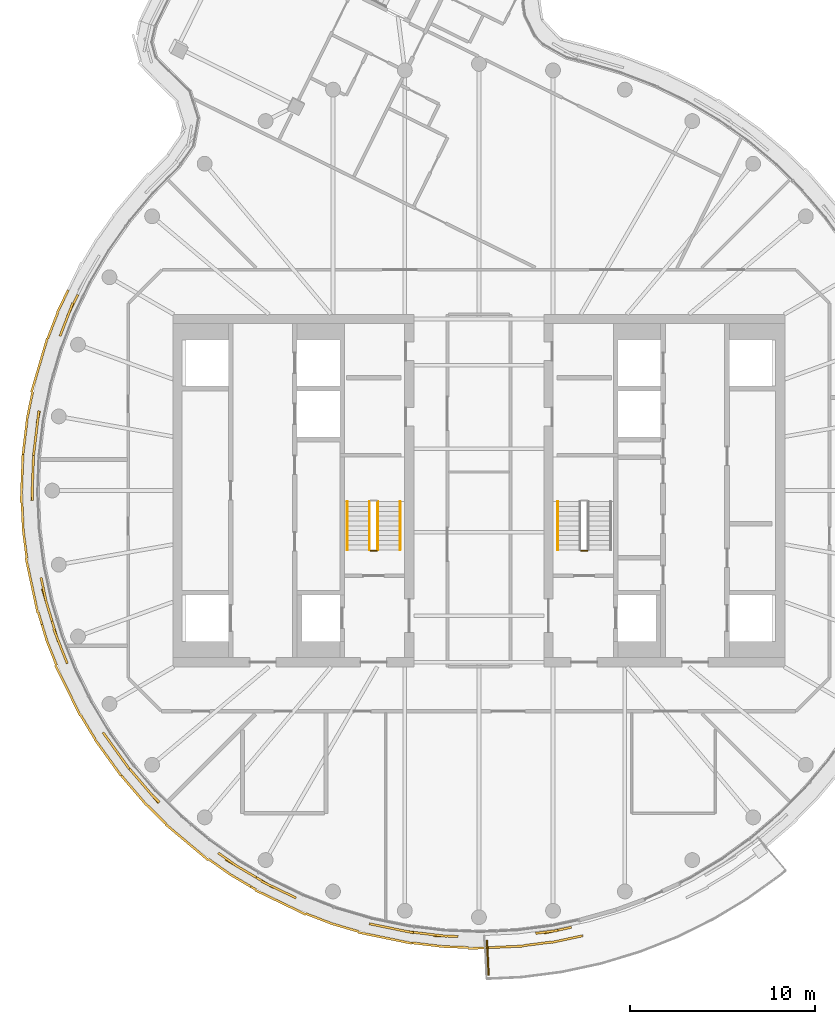
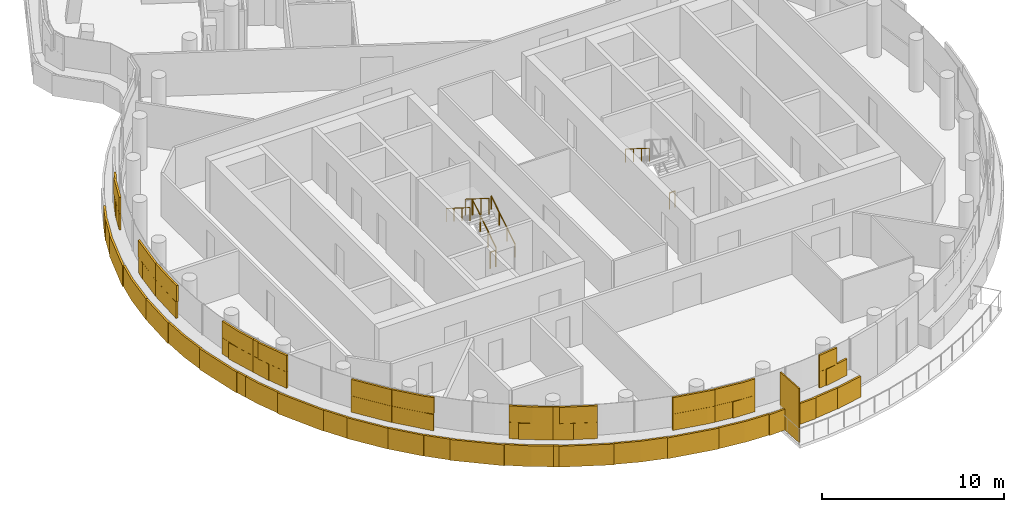
# One storey, part 17 of 21: 7 railings, 6 coverings, 1 shading device.
"""IFC4 building model written with IfcOpenShell, lengths in metres."""

from ifc_helpers import new_model, si_unit, direction, frame, origin, origin_2d, place, context, subcontext, project, spatial, rectangle, circle, extrude, material, layer, layer_set, type_object, element, save


model = new_model("IFC4")

# Units and contexts
model_context = context("Model", 3, precision=1e-05, world=origin(), true_north=direction((0.0, 1.0)))
body_context = subcontext(model_context, "Body", "Model", "MODEL_VIEW")
ifc_project = project(units=[si_unit("LENGTHUNIT", "METRE"), si_unit("AREAUNIT", "SQUARE_METRE"), si_unit("VOLUMEUNIT", "CUBIC_METRE"), si_unit("PLANEANGLEUNIT", "RADIAN"), si_unit("MASSUNIT", "GRAM", prefix="KILO")], contexts=[model_context])

# Site, building, storey
site_placement = place(None, origin())
site = spatial("IfcSite", under=ifc_project, at=site_placement, CompositionType="ELEMENT")
building_placement = place(site_placement, origin())
building = spatial("IfcBuilding", under=site, at=building_placement, Name="Tamarind Cross Interchange Tower", CompositionType="ELEMENT")
storey_placement = place(building_placement, frame((0.0, 0.0, 264.0)))
storey = spatial("IfcBuildingStorey", under=building, at=storey_placement, Name="L67", CompositionType="ELEMENT", Elevation=264.0)

# Shading device
ifc_material_1 = material(Name="Bronze-finish aluminium louvre", Category="aluminium")
ifc_layer_1 = layer(ifc_material_1, 0.080078125)
ifc_layer_set_1 = layer_set([ifc_layer_1], Name="Bronze-finish aluminium louvre")
shading_device_type = type_object("IfcShadingDeviceType", Name="Operable louvre bay", PredefinedType="JALOUSIE", material=ifc_layer_set_1)
shading_device_placement = place(storey_placement, origin())
element("IfcShadingDevice", 1, at=shading_device_placement, inside=storey, type_object=shading_device_type, Name="LVR-L67-BAL01", PredefinedType="JALOUSIE", context=body_context, shape_type="SweptSolid", body=[
    extrude(rectangle(XDim=1.89990234375, YDim=0.080078125, at=origin_2d()), frame((0.4765625, -25.179931640625, 0.0), z_axis=(0.0, 0.0, 1.0), x_axis=(0.045624486728, -0.998958660912, 0.0)), (0.0, 0.0, 1.0), 3.60009765625),
])

# Railings
ifc_material_2 = material(Name="Stair guard")
railing_type_1 = type_object("IfcRailingType", Name="Stair guard", PredefinedType="GUARDRAIL", material=ifc_material_2)
railing_1_placement = place(storey_placement, frame((-5.449951171875, -3.199951171875, 0.16357421875)))
element("IfcRailing", 2, at=railing_1_placement, inside=storey, type_object=railing_type_1, Name="L67 ST1 stair guard 1", PredefinedType="GUARDRAIL", context=body_context, shape_type="SweptSolid", body=[
    extrude(circle(Radius=0.02392578125, at=origin_2d()), frame((0.0, 0.0, 1.076171875), z_axis=(0.0, 0.846301844409, 0.532703658848), x_axis=(-1.0, 0.0, 0.0)), (0.0, 0.0, 1.0), 3.072021484375),
    extrude(circle(Radius=0.02099609375, at=origin_2d()), origin(), (0.0, 0.0, 1.0), 1.052001953125),
    extrude(circle(Radius=0.02099609375, at=origin_2d()), frame((0.0, 0.86669921875, 0.54541015625)), (0.0, 0.0, 1.0), 1.052001953125),
    extrude(circle(Radius=0.02099609375, at=origin_2d()), frame((0.0, 1.733154296875, 1.091064453125)), (0.0, 0.0, 1.0), 1.052001953125),
    extrude(circle(Radius=0.02099609375, at=origin_2d()), frame((0.0, 2.599853515625, 1.636474609375)), (0.0, 0.0, 1.0), 1.052001953125),
])
railing_2_placement = place(storey_placement, frame((-5.89990234375, -0.60009765625, 1.963623046875)))
element("IfcRailing", 3, at=railing_2_placement, inside=storey, type_object=railing_type_1, Name="L67 ST1 stair guard 3", PredefinedType="GUARDRAIL", context=body_context, shape_type="SweptSolid", body=[
    extrude(circle(Radius=0.02392578125, at=origin_2d()), frame((0.0, 0.0, 1.076171875), z_axis=(0.0, -0.846301844409, 0.532703658848), x_axis=(1.0, 0.0, 0.0)), (0.0, 0.0, 1.0), 3.072021484375),
    extrude(circle(Radius=0.02099609375, at=origin_2d()), origin(), (0.0, 0.0, 1.0), 1.052001953125),
    extrude(circle(Radius=0.02099609375, at=origin_2d()), frame((0.0, -0.86669921875, 0.54541015625)), (0.0, 0.0, 1.0), 1.052001953125),
    extrude(circle(Radius=0.02099609375, at=origin_2d()), frame((0.0, -1.733154296875, 1.091064453125)), (0.0, 0.0, 1.0), 1.052001953125),
    extrude(circle(Radius=0.02099609375, at=origin_2d()), frame((0.0, -2.599853515625, 1.636474609375)), (0.0, 0.0, 1.0), 1.052001953125),
])
for number, where, name in (
    (4, (-5.5, -3.25, 0.0), "L67 ST1 stair guard 4"),
    (5, (5.85009765625, -3.25, 0.0), "L67 ST2 stair guard 4"),
):
    element("IfcRailing", number, at=place(storey_placement, frame(where)), inside=storey, type_object=railing_type_1, Name=name, PredefinedType="GUARDRAIL", context=body_context, shape_type="SweptSolid", body=[
        extrude(circle(Radius=0.02392578125, at=origin_2d()), frame((0.0, 0.0, 1.076171875), z_axis=(-1.0, 0.0, 0.0), x_axis=(0.0, -1.0, 0.0)), (0.0, 0.0, 1.0), 0.35009765625),
        extrude(circle(Radius=0.02099609375, at=origin_2d()), origin(), (0.0, 0.0, 1.0), 1.052001953125),
        extrude(circle(Radius=0.02099609375, at=origin_2d()), frame((-0.35009765625, 0.0, 0.0)), (0.0, 0.0, 1.0), 1.052001953125),
    ])
ifc_material_3 = material(Name="Stair handrail")
railing_type_2 = type_object("IfcRailingType", Name="Stair handrail", PredefinedType="HANDRAIL", material=ifc_material_3)
railing_3_placement = place(storey_placement, frame((-4.25, -3.199951171875, 0.16357421875)))
element("IfcRailing", 6, at=railing_3_placement, inside=storey, type_object=railing_type_2, Name="L67 ST1 stair handrail 1", PredefinedType="HANDRAIL", context=body_context, shape_type="SweptSolid", body=[
    extrude(circle(Radius=0.02392578125, at=origin_2d()), frame((0.0, 0.0, 0.8759765625), z_axis=(0.0, 0.846301844409, 0.532703658848), x_axis=(-1.0, 0.0, 0.0)), (0.0, 0.0, 1.0), 3.072021484375),
    extrude(circle(Radius=0.02099609375, at=origin_2d()), origin(), (0.0, 0.0, 1.0), 0.851806640625),
    extrude(circle(Radius=0.02099609375, at=origin_2d()), frame((0.0, 0.86669921875, 0.54541015625)), (0.0, 0.0, 1.0), 0.851806640625),
    extrude(circle(Radius=0.02099609375, at=origin_2d()), frame((0.0, 1.733154296875, 1.091064453125)), (0.0, 0.0, 1.0), 0.851806640625),
    extrude(circle(Radius=0.02099609375, at=origin_2d()), frame((0.0, 2.599853515625, 1.636474609375)), (0.0, 0.0, 1.0), 0.851806640625),
])
for number, where, name in (
    (7, (-7.10009765625, -0.60009765625, 1.963623046875), "L67 ST1 stair handrail 2"),
    (8, (4.25, -0.60009765625, 1.963623046875), "L67 ST2 stair handrail 2"),
):
    element("IfcRailing", number, at=place(storey_placement, frame(where)), inside=storey, type_object=railing_type_2, Name=name, PredefinedType="HANDRAIL", context=body_context, shape_type="SweptSolid", body=[
        extrude(circle(Radius=0.02392578125, at=origin_2d()), frame((0.0, 0.0, 0.8759765625), z_axis=(0.0, -0.846301844409, 0.532703658848), x_axis=(1.0, 0.0, 0.0)), (0.0, 0.0, 1.0), 3.072021484375),
        extrude(circle(Radius=0.02099609375, at=origin_2d()), origin(), (0.0, 0.0, 1.0), 0.851806640625),
        extrude(circle(Radius=0.02099609375, at=origin_2d()), frame((0.0, -0.86669921875, 0.54541015625)), (0.0, 0.0, 1.0), 0.851806640625),
        extrude(circle(Radius=0.02099609375, at=origin_2d()), frame((0.0, -1.733154296875, 1.091064453125)), (0.0, 0.0, 1.0), 0.851806640625),
        extrude(circle(Radius=0.02099609375, at=origin_2d()), frame((0.0, -2.599853515625, 1.636474609375)), (0.0, 0.0, 1.0), 0.851806640625),
    ])

# Coverings
ifc_material_4 = material(Name="Terracotta", Category="masonry")
ifc_layer_2 = layer(ifc_material_4, 0.1201171875)
ifc_layer_set_2 = layer_set([ifc_layer_2], Name="Terracotta")
covering_type = type_object("IfcCoveringType", Name="Terracotta baguette screen unit", PredefinedType="MOLDING", material=ifc_layer_set_2)
covering_1_placement = place(storey_placement, origin())
element("IfcCovering", 9, at=covering_1_placement, inside=storey, type_object=covering_type, Name="SCR-L67-01-02", PredefinedType="MOLDING", context=body_context, shape_type="SweptSolid", body=[
    extrude(rectangle(XDim=1.284912109375, YDim=0.1201171875, at=origin_2d()), frame((-21.90380859375, 9.9833984375, 1.40380859375), z_axis=(0.0, 0.0, 1.0), x_axis=(-0.435326231914, -0.900272776334, 0.0)), (0.0, 0.0, 1.0), 1.092041015625),
    extrude(rectangle(XDim=1.15673828125, YDim=0.1201171875, at=origin_2d()), frame((-22.373046875, 8.8681640625, 1.40380859375), z_axis=(0.0, 0.0, 1.0), x_axis=(-0.359495435512, -0.933146843667, 0.0)), (0.0, 0.0, 1.0), 1.092041015625),
    extrude(rectangle(XDim=0.663330078125, YDim=0.1201171875, at=origin_2d()), frame((-23.75244140625, 3.968994140625, 1.40380859375), z_axis=(0.0, 0.0, 1.0), x_axis=(-0.201001463943, -0.9795909409, 0.0)), (0.0, 0.0, 1.0), 1.092041015625),
    extrude(rectangle(XDim=1.52001953125, YDim=0.1201171875, at=origin_2d()), frame((-23.889892578125, 2.901611328125, 1.40380859375), z_axis=(0.0, 0.0, 1.0), x_axis=(-0.119420963295, -0.992843710523, 0.0)), (0.0, 0.0, 1.0), 1.092041015625),
    extrude(rectangle(XDim=0.2783203125, YDim=0.1201171875, at=origin_2d()), frame((-23.99560546875, 2.023681640625, 1.40380859375), z_axis=(0.0, 0.0, 1.0), x_axis=(-0.119420963295, -0.992843710523, 0.0)), (0.0, 0.0, 1.0), 1.092041015625),
    extrude(rectangle(XDim=0.534912109375, YDim=0.1201171875, at=origin_2d()), frame((-21.740478515625, 10.321044921875, 2.50390625), z_axis=(0.0, 0.0, 1.0), x_axis=(-0.435326231914, -0.900272776334, 0.0)), (0.0, 0.0, 1.0), 1.092041015625),
    extrude(rectangle(XDim=1.52001953125, YDim=0.1201171875, at=origin_2d()), frame((-22.1669921875, 9.4033203125, 2.50390625), z_axis=(0.0, 0.0, 1.0), x_axis=(-0.359495435512, -0.933146843667, 0.0)), (0.0, 0.0, 1.0), 1.092041015625),
    extrude(rectangle(XDim=0.40673828125, YDim=0.1201171875, at=origin_2d()), frame((-22.5078125, 8.518310546875, 2.50390625), z_axis=(0.0, 0.0, 1.0), x_axis=(-0.359495435512, -0.933146843667, 0.0)), (0.0, 0.0, 1.0), 1.092041015625),
    extrude(rectangle(XDim=1.413330078125, YDim=0.1201171875, at=origin_2d()), frame((-23.80615234375, 3.59814453125, 2.50390625), z_axis=(0.0, 0.0, 1.0), x_axis=(-0.119420963295, -0.992843710523, 0.0)), (0.0, 0.0, 1.0), 1.092041015625),
    extrude(rectangle(XDim=1.0283203125, YDim=0.1201171875, at=origin_2d()), frame((-23.95068359375, 2.39599609375, 2.50390625), z_axis=(0.0, 0.0, 1.0), x_axis=(-0.119420963295, -0.992843710523, 0.0)), (0.0, 0.0, 1.0), 1.092041015625),
    extrude(rectangle(XDim=1.354736328125, YDim=0.1201171875, at=origin_2d()), frame((-22.43701171875, 10.19921875, 0.00390625), z_axis=(0.0, 0.0, 1.0), x_axis=(-0.435326231914, -0.900272776334, 0.0)), (0.0, 0.0, 1.0), 1.39208984375),
    extrude(rectangle(XDim=1.52001953125, YDim=0.1201171875, at=origin_2d()), frame((-22.9794921875, 8.890869140625, 0.00390625), z_axis=(0.0, 0.0, 1.0), x_axis=(-0.359495435512, -0.933146843667, 0.0)), (0.0, 0.0, 1.0), 1.39208984375),
    extrude(rectangle(XDim=1.52001953125, YDim=0.1201171875, at=origin_2d()), frame((-23.48388671875, 7.479248046875, 0.00390625), z_axis=(0.0, 0.0, 1.0), x_axis=(-0.281208920763, -0.95964657186, 0.0)), (0.0, 0.0, 1.0), 1.39208984375),
    extrude(rectangle(XDim=1.52001953125, YDim=0.1201171875, at=origin_2d()), frame((-23.90576171875, 6.039794921875, 0.00390625), z_axis=(0.0, 0.0, 1.0), x_axis=(-0.281208920763, -0.95964657186, 0.0)), (0.0, 0.0, 1.0), 1.39208984375),
    extrude(rectangle(XDim=1.52001953125, YDim=0.1201171875, at=origin_2d()), frame((-24.214599609375, 4.572265625, 0.00390625), z_axis=(0.0, 0.0, 1.0), x_axis=(-0.201001463943, -0.9795909409, 0.0)), (0.0, 0.0, 1.0), 1.39208984375),
    extrude(rectangle(XDim=1.52001953125, YDim=0.1201171875, at=origin_2d()), frame((-24.4453125, 3.09130859375, 0.00390625), z_axis=(0.0, 0.0, 1.0), x_axis=(-0.119420963295, -0.992843710523, 0.0)), (0.0, 0.0, 1.0), 1.39208984375),
    extrude(rectangle(XDim=0.424072265625, YDim=0.1201171875, at=origin_2d()), frame((-24.558837890625, 2.14599609375, 0.00390625), z_axis=(0.0, 0.0, 1.0), x_axis=(-0.119420963295, -0.992843710523, 0.0)), (0.0, 0.0, 1.0), 1.39208984375),
])
covering_2_placement = place(storey_placement, origin())
element("IfcCovering", 10, at=covering_2_placement, inside=storey, type_object=covering_type, Name="SCR-L67-01-03", PredefinedType="MOLDING", context=body_context, shape_type="SweptSolid", body=[
    extrude(rectangle(XDim=1.24169921875, YDim=0.1201171875, at=origin_2d()), frame((-24.03466796875, 1.275146484375, 1.40380859375), z_axis=(0.0, 0.0, 1.0), x_axis=(-0.037024696392, -0.999314350871, 0.0)), (0.0, 0.0, 1.0), 1.092041015625),
    extrude(rectangle(XDim=1.19970703125, YDim=0.1201171875, at=origin_2d()), frame((-24.07958984375, 0.065185546875, 1.40380859375), z_axis=(0.0, 0.0, 1.0), x_axis=(-0.037024696392, -0.999314350871, 0.0)), (0.0, 0.0, 1.0), 1.092041015625),
    extrude(rectangle(XDim=0.620361328125, YDim=0.1201171875, at=origin_2d()), frame((-23.541259765625, -4.9951171875, 1.40380859375), z_axis=(0.0, 0.0, 1.0), x_axis=(0.209425419705, -0.977824623121, 0.0)), (0.0, 0.0, 1.0), 1.092041015625),
    extrude(rectangle(XDim=1.52001953125, YDim=0.1201171875, at=origin_2d()), frame((-23.3193359375, -6.026611328125, 1.40380859375), z_axis=(0.0, 0.0, 1.0), x_axis=(0.289458243079, -0.957190642199, 0.0)), (0.0, 0.0, 1.0), 1.092041015625),
    extrude(rectangle(XDim=0.3212890625, YDim=0.1201171875, at=origin_2d()), frame((-23.05712890625, -6.893310546875, 1.40380859375), z_axis=(0.0, 0.0, 1.0), x_axis=(0.289458243079, -0.957190642199, 0.0)), (0.0, 0.0, 1.0), 1.092041015625),
    extrude(rectangle(XDim=0.49169921875, YDim=0.1201171875, at=origin_2d()), frame((-24.020751953125, 1.64990234375, 2.50390625), z_axis=(0.0, 0.0, 1.0), x_axis=(-0.037024696392, -0.999314350871, 0.0)), (0.0, 0.0, 1.0), 1.092041015625),
    extrude(rectangle(XDim=1.52001953125, YDim=0.1201171875, at=origin_2d()), frame((-24.0576171875, 0.65966796875, 2.50390625), z_axis=(0.0, 0.0, 1.0), x_axis=(-0.037024696392, -0.999314350871, 0.0)), (0.0, 0.0, 1.0), 1.092041015625),
    extrude(rectangle(XDim=0.44970703125, YDim=0.1201171875, at=origin_2d()), frame((-24.076416015625, -0.309326171875, 2.50390625), z_axis=(0.0, 0.0, 1.0), x_axis=(0.045624486728, -0.998958660912, 0.0)), (0.0, 0.0, 1.0), 1.092041015625),
    extrude(rectangle(XDim=1.370361328125, YDim=0.1201171875, at=origin_2d()), frame((-23.462890625, -5.36181640625, 2.50390625), z_axis=(0.0, 0.0, 1.0), x_axis=(0.209425419705, -0.977824623121, 0.0)), (0.0, 0.0, 1.0), 1.092041015625),
    extrude(rectangle(XDim=1.0712890625, YDim=0.1201171875, at=origin_2d()), frame((-23.165771484375, -6.534423828125, 2.50390625), z_axis=(0.0, 0.0, 1.0), x_axis=(0.289458243079, -0.957190642199, 0.0)), (0.0, 0.0, 1.0), 1.092041015625),
    extrude(rectangle(XDim=1.095947265625, YDim=0.1201171875, at=origin_2d()), frame((-24.60498046875, 1.387939453125, 0.00390625), z_axis=(0.0, 0.0, 1.0), x_axis=(-0.037024696392, -0.999314350871, 0.0)), (0.0, 0.0, 1.0), 1.39208984375),
    extrude(rectangle(XDim=1.52001953125, YDim=0.1201171875, at=origin_2d()), frame((-24.652587890625, 0.100830078125, 0.00390625), z_axis=(0.0, 0.0, 1.0), x_axis=(-0.037024696392, -0.999314350871, 0.0)), (0.0, 0.0, 1.0), 1.39208984375),
    extrude(rectangle(XDim=1.52001953125, YDim=0.1201171875, at=origin_2d()), frame((-24.601318359375, -1.3974609375, 0.00390625), z_axis=(0.0, 0.0, 1.0), x_axis=(0.045624486728, -0.998958660912, 0.0)), (0.0, 0.0, 1.0), 1.39208984375),
    extrude(rectangle(XDim=1.52001953125, YDim=0.1201171875, at=origin_2d()), frame((-24.470703125, -2.890625, 0.00390625), z_axis=(0.0, 0.0, 1.0), x_axis=(0.127962008342, -0.991779070368, 0.0)), (0.0, 0.0, 1.0), 1.39208984375),
    extrude(rectangle(XDim=1.52001953125, YDim=0.1201171875, at=origin_2d()), frame((-24.26123046875, -4.375244140625, 0.00390625), z_axis=(0.0, 0.0, 1.0), x_axis=(0.209425419705, -0.977824623121, 0.0)), (0.0, 0.0, 1.0), 1.39208984375),
    extrude(rectangle(XDim=1.52001953125, YDim=0.1201171875, at=origin_2d()), frame((-23.947021484375, -5.842041015625, 0.00390625), z_axis=(0.0, 0.0, 1.0), x_axis=(0.209425419705, -0.977824623121, 0.0)), (0.0, 0.0, 1.0), 1.39208984375),
    extrude(rectangle(XDim=0.6826171875, YDim=0.1201171875, at=origin_2d()), frame((-23.659912109375, -6.883544921875, 0.00390625), z_axis=(0.0, 0.0, 1.0), x_axis=(0.289458243079, -0.957190642199, 0.0)), (0.0, 0.0, 1.0), 1.39208984375),
])
covering_3_placement = place(storey_placement, origin())
element("IfcCovering", 11, at=covering_3_placement, inside=storey, type_object=covering_type, Name="SCR-L67-01-04", PredefinedType="MOLDING", context=body_context, shape_type="SweptSolid", body=[
    extrude(rectangle(XDim=1.19873046875, YDim=0.1201171875, at=origin_2d()), frame((-22.840087890625, -7.611328125, 1.40380859375), z_axis=(0.0, 0.0, 1.0), x_axis=(0.289458243079, -0.957190642199, 0.0)), (0.0, 0.0, 1.0), 1.092041015625),
    extrude(rectangle(XDim=1.242431640625, YDim=0.1201171875, at=origin_2d()), frame((-22.420166015625, -8.74609375, 1.40380859375), z_axis=(0.0, 0.0, 1.0), x_axis=(0.367513773146, -0.930018078613, 0.0)), (0.0, 0.0, 1.0), 1.092041015625),
    extrude(rectangle(XDim=0.577392578125, YDim=0.1201171875, at=origin_2d()), frame((-20.096923828125, -13.274658203125, 1.40380859375), z_axis=(0.0, 0.0, 1.0), x_axis=(0.584573890505, -0.811340475102, 0.0)), (0.0, 0.0, 1.0), 1.092041015625),
    extrude(rectangle(XDim=1.52001953125, YDim=0.1201171875, at=origin_2d()), frame((-19.49267578125, -14.11328125, 1.40380859375), z_axis=(0.0, 0.0, 1.0), x_axis=(0.584573890505, -0.811340475102, 0.0)), (0.0, 0.0, 1.0), 1.092041015625),
    extrude(rectangle(XDim=0.36376953125, YDim=0.1201171875, at=origin_2d()), frame((-18.95068359375, -14.865478515625, 1.40380859375), z_axis=(0.0, 0.0, 1.0), x_axis=(0.584573890505, -0.811340475102, 0.0)), (0.0, 0.0, 1.0), 1.092041015625),
    extrude(rectangle(XDim=0.44873046875, YDim=0.1201171875, at=origin_2d()), frame((-22.94873046875, -7.25244140625, 2.50390625), z_axis=(0.0, 0.0, 1.0), x_axis=(0.289458243079, -0.957190642199, 0.0)), (0.0, 0.0, 1.0), 1.092041015625),
    extrude(rectangle(XDim=1.52001953125, YDim=0.1201171875, at=origin_2d()), frame((-22.646728515625, -8.1728515625, 2.50390625), z_axis=(0.0, 0.0, 1.0), x_axis=(0.367513773146, -0.930018078613, 0.0)), (0.0, 0.0, 1.0), 1.092041015625),
    extrude(rectangle(XDim=0.492431640625, YDim=0.1201171875, at=origin_2d()), frame((-22.282470703125, -9.0947265625, 2.50390625), z_axis=(0.0, 0.0, 1.0), x_axis=(0.367513773146, -0.930018078613, 0.0)), (0.0, 0.0, 1.0), 1.092041015625),
    extrude(rectangle(XDim=1.327392578125, YDim=0.1201171875, at=origin_2d()), frame((-19.877685546875, -13.578857421875, 2.50390625), z_axis=(0.0, 0.0, 1.0), x_axis=(0.584573890505, -0.811340475102, 0.0)), (0.0, 0.0, 1.0), 1.092041015625),
    extrude(rectangle(XDim=1.11376953125, YDim=0.1201171875, at=origin_2d()), frame((-19.169921875, -14.56103515625, 2.50390625), z_axis=(0.0, 0.0, 1.0), x_axis=(0.584573890505, -0.811340475102, 0.0)), (0.0, 0.0, 1.0), 1.092041015625),
    extrude(rectangle(XDim=0.83740234375, YDim=0.1201171875, at=origin_2d()), frame((-23.439697265625, -7.611083984375, 0.00390625), z_axis=(0.0, 0.0, 1.0), x_axis=(0.289458243079, -0.957190642199, 0.0)), (0.0, 0.0, 1.0), 1.39208984375),
    extrude(rectangle(XDim=1.52001953125, YDim=0.1201171875, at=origin_2d()), frame((-23.054443359375, -8.702880859375, 0.00390625), z_axis=(0.0, 0.0, 1.0), x_axis=(0.367513773146, -0.930018078613, 0.0)), (0.0, 0.0, 1.0), 1.39208984375),
    extrude(rectangle(XDim=1.52001953125, YDim=0.1201171875, at=origin_2d()), frame((-22.49560546875, -10.094482421875, 0.00390625), z_axis=(0.0, 0.0, 1.0), x_axis=(0.443058811505, -0.896492548518, 0.0)), (0.0, 0.0, 1.0), 1.39208984375),
    extrude(rectangle(XDim=1.52001953125, YDim=0.1201171875, at=origin_2d()), frame((-21.830810546875, -11.439208984375, 0.00390625), z_axis=(0.0, 0.0, 1.0), x_axis=(0.443058811505, -0.896492548518, 0.0)), (0.0, 0.0, 1.0), 1.39208984375),
    extrude(rectangle(XDim=1.52001953125, YDim=0.1201171875, at=origin_2d()), frame((-21.089111328125, -12.74169921875, 0.00390625), z_axis=(0.0, 0.0, 1.0), x_axis=(0.515577308909, -0.856843065292, 0.0)), (0.0, 0.0, 1.0), 1.39208984375),
    extrude(rectangle(XDim=1.52001953125, YDim=0.1201171875, at=origin_2d()), frame((-20.279541015625, -14.003173828125, 0.00390625), z_axis=(0.0, 0.0, 1.0), x_axis=(0.584573890505, -0.811340475102, 0.0)), (0.0, 0.0, 1.0), 1.39208984375),
    extrude(rectangle(XDim=0.94091796875, YDim=0.1201171875, at=origin_2d()), frame((-19.572021484375, -14.985107421875, 0.00390625), z_axis=(0.0, 0.0, 1.0), x_axis=(0.584573890505, -0.811340475102, 0.0)), (0.0, 0.0, 1.0), 1.39208984375),
])
covering_4_placement = place(storey_placement, origin())
element("IfcCovering", 12, at=covering_4_placement, inside=storey, type_object=covering_type, Name="SCR-L67-01-05", PredefinedType="MOLDING", context=body_context, shape_type="SweptSolid", body=[
    extrude(rectangle(XDim=1.156005859375, YDim=0.1201171875, at=origin_2d()), frame((-18.46435546875, -15.436279296875, 1.40380859375), z_axis=(0.0, 0.0, 1.0), x_axis=(0.64957723968, -0.760295606781, 0.0)), (0.0, 0.0, 1.0), 1.092041015625),
    extrude(rectangle(XDim=1.28564453125, YDim=0.1201171875, at=origin_2d()), frame((-17.677978515625, -16.35693359375, 1.40380859375), z_axis=(0.0, 0.0, 1.0), x_axis=(0.64957723968, -0.760295606781, 0.0)), (0.0, 0.0, 1.0), 1.092041015625),
    extrude(rectangle(XDim=0.534423828125, YDim=0.1201171875, at=origin_2d()), frame((-13.83349609375, -19.6923828125, 1.40380859375), z_axis=(0.0, 0.0, 1.0), x_axis=(0.816341886298, -0.577568978284, 0.0)), (0.0, 0.0, 1.0), 1.092041015625),
    extrude(rectangle(XDim=1.52001953125, YDim=0.1201171875, at=origin_2d()), frame((-13.0029296875, -20.27001953125, 1.40380859375), z_axis=(0.0, 0.0, 1.0), x_axis=(0.861248933065, -0.508183308752, 0.0)), (0.0, 0.0, 1.0), 1.092041015625),
    extrude(rectangle(XDim=0.4072265625, YDim=0.1201171875, at=origin_2d()), frame((-12.185791015625, -20.752197265625, 1.40380859375), z_axis=(0.0, 0.0, 1.0), x_axis=(0.861248933065, -0.508183308752, 0.0)), (0.0, 0.0, 1.0), 1.092041015625),
    extrude(rectangle(XDim=0.406005859375, YDim=0.1201171875, at=origin_2d()), frame((-18.7080078125, -15.151123046875, 2.50390625), z_axis=(0.0, 0.0, 1.0), x_axis=(0.64957723968, -0.760295606781, 0.0)), (0.0, 0.0, 1.0), 1.092041015625),
    extrude(rectangle(XDim=1.52001953125, YDim=0.1201171875, at=origin_2d()), frame((-18.09228515625, -15.871826171875, 2.50390625), z_axis=(0.0, 0.0, 1.0), x_axis=(0.64957723968, -0.760295606781, 0.0)), (0.0, 0.0, 1.0), 1.092041015625),
    extrude(rectangle(XDim=0.53564453125, YDim=0.1201171875, at=origin_2d()), frame((-17.4140625, -16.623291015625, 2.50390625), z_axis=(0.0, 0.0, 1.0), x_axis=(0.710143317658, -0.704057148523, 0.0)), (0.0, 0.0, 1.0), 1.092041015625),
    extrude(rectangle(XDim=1.284423828125, YDim=0.1201171875, at=origin_2d()), frame((-13.52734375, -19.908935546875, 2.50390625), z_axis=(0.0, 0.0, 1.0), x_axis=(0.816341886298, -0.577568978284, 0.0)), (0.0, 0.0, 1.0), 1.092041015625),
    extrude(rectangle(XDim=1.1572265625, YDim=0.1201171875, at=origin_2d()), frame((-12.5087890625, -20.5615234375, 2.50390625), z_axis=(0.0, 0.0, 1.0), x_axis=(0.861248933065, -0.508183308752, 0.0)), (0.0, 0.0, 1.0), 1.092041015625),
    extrude(rectangle(XDim=0.5791015625, YDim=0.1201171875, at=origin_2d()), frame((-19.097900390625, -15.578369140625, 0.00390625), z_axis=(0.0, 0.0, 1.0), x_axis=(0.64957723968, -0.760295606781, 0.0)), (0.0, 0.0, 1.0), 1.39208984375),
    extrude(rectangle(XDim=1.52001953125, YDim=0.1201171875, at=origin_2d()), frame((-18.42919921875, -16.361083984375, 0.00390625), z_axis=(0.0, 0.0, 1.0), x_axis=(0.64957723968, -0.760295606781, 0.0)), (0.0, 0.0, 1.0), 1.39208984375),
    extrude(rectangle(XDim=1.52001953125, YDim=0.1201171875, at=origin_2d()), frame((-17.397216796875, -17.4482421875, 0.00390625), z_axis=(0.0, 0.0, 1.0), x_axis=(0.710143317658, -0.704057148523, 0.0)), (0.0, 0.0, 1.0), 1.39208984375),
    extrude(rectangle(XDim=1.52001953125, YDim=0.1201171875, at=origin_2d()), frame((-16.30908203125, -18.479248046875, 0.00390625), z_axis=(0.0, 0.0, 1.0), x_axis=(0.765858396687, -0.643009266048, 0.0)), (0.0, 0.0, 1.0), 1.39208984375),
    extrude(rectangle(XDim=1.52001953125, YDim=0.1201171875, at=origin_2d()), frame((-15.160400390625, -19.44384765625, 0.00390625), z_axis=(0.0, 0.0, 1.0), x_axis=(0.765858396687, -0.643009266048, 0.0)), (0.0, 0.0, 1.0), 1.39208984375),
    extrude(rectangle(XDim=1.52001953125, YDim=0.1201171875, at=origin_2d()), frame((-13.9423828125, -20.318359375, 0.00390625), z_axis=(0.0, 0.0, 1.0), x_axis=(0.816341886298, -0.577568978284, 0.0)), (0.0, 0.0, 1.0), 1.39208984375),
    extrude(rectangle(XDim=1.199951171875, YDim=0.1201171875, at=origin_2d()), frame((-12.818115234375, -21.045654296875, 0.00390625), z_axis=(0.0, 0.0, 1.0), x_axis=(0.861248933065, -0.508183308752, 0.0)), (0.0, 0.0, 1.0), 1.39208984375),
])
covering_5_placement = place(storey_placement, origin())
element("IfcCovering", 13, at=covering_5_placement, inside=storey, type_object=covering_type, Name="SCR-L67-01-06", PredefinedType="MOLDING", context=body_context, shape_type="SweptSolid", body=[
    extrude(rectangle(XDim=1.11279296875, YDim=0.1201171875, at=origin_2d()), frame((-11.5400390625, -21.13330078125, 1.40380859375), z_axis=(0.0, 0.0, 1.0), x_axis=(0.861248933065, -0.508183308752, 0.0)), (0.0, 0.0, 1.0), 1.092041015625),
    extrude(rectangle(XDim=1.32861328125, YDim=0.1201171875, at=origin_2d()), frame((-10.45751953125, -21.674560546875, 1.40380859375), z_axis=(0.0, 0.0, 1.0), x_axis=(0.900272776334, -0.435326231914, 0.0)), (0.0, 0.0, 1.0), 1.092041015625),
    extrude(rectangle(XDim=0.491455078125, YDim=0.1201171875, at=origin_2d()), frame((-5.671142578125, -23.403076171875, 1.40380859375), z_axis=(0.0, 0.0, 1.0), x_axis=(0.9795909409, -0.201001463943, 0.0)), (0.0, 0.0, 1.0), 1.092041015625),
    extrude(rectangle(XDim=1.52001953125, YDim=0.1201171875, at=origin_2d()), frame((-4.70068359375, -23.602294921875, 1.40380859375), z_axis=(0.0, 0.0, 1.0), x_axis=(0.9795909409, -0.201001463943, 0.0)), (0.0, 0.0, 1.0), 1.092041015625),
    extrude(rectangle(XDim=0.44970703125, YDim=0.1201171875, at=origin_2d()), frame((-3.7490234375, -23.7880859375, 1.40380859375), z_axis=(0.0, 0.0, 1.0), x_axis=(0.992843710523, -0.119420963295, 0.0)), (0.0, 0.0, 1.0), 1.092041015625),
    extrude(rectangle(XDim=0.36279296875, YDim=0.1201171875, at=origin_2d()), frame((-11.86279296875, -20.94287109375, 2.50390625), z_axis=(0.0, 0.0, 1.0), x_axis=(0.861248933065, -0.508183308752, 0.0)), (0.0, 0.0, 1.0), 1.092041015625),
    extrude(rectangle(XDim=1.52001953125, YDim=0.1201171875, at=origin_2d()), frame((-11.051025390625, -21.387451171875, 2.50390625), z_axis=(0.0, 0.0, 1.0), x_axis=(0.900272776334, -0.435326231914, 0.0)), (0.0, 0.0, 1.0), 1.092041015625),
    extrude(rectangle(XDim=0.57861328125, YDim=0.1201171875, at=origin_2d()), frame((-10.119873046875, -21.837890625, 2.50390625), z_axis=(0.0, 0.0, 1.0), x_axis=(0.900272776334, -0.435326231914, 0.0)), (0.0, 0.0, 1.0), 1.092041015625),
    extrude(rectangle(XDim=1.241455078125, YDim=0.1201171875, at=origin_2d()), frame((-5.3037109375, -23.478515625, 2.50390625), z_axis=(0.0, 0.0, 1.0), x_axis=(0.9795909409, -0.201001463943, 0.0)), (0.0, 0.0, 1.0), 1.092041015625),
    extrude(rectangle(XDim=1.19970703125, YDim=0.1201171875, at=origin_2d()), frame((-4.117919921875, -23.721923828125, 2.50390625), z_axis=(0.0, 0.0, 1.0), x_axis=(0.9795909409, -0.201001463943, 0.0)), (0.0, 0.0, 1.0), 1.092041015625),
    extrude(rectangle(XDim=0.320068359375, YDim=0.1201171875, at=origin_2d()), frame((-12.16357421875, -21.431884765625, 0.00390625), z_axis=(0.0, 0.0, 1.0), x_axis=(0.861248933065, -0.508183308752, 0.0)), (0.0, 0.0, 1.0), 1.39208984375),
    extrude(rectangle(XDim=1.52001953125, YDim=0.1201171875, at=origin_2d()), frame((-11.376953125, -21.86767578125, 0.00390625), z_axis=(0.0, 0.0, 1.0), x_axis=(0.900272776334, -0.435326231914, 0.0)), (0.0, 0.0, 1.0), 1.39208984375),
    extrude(rectangle(XDim=1.52001953125, YDim=0.1201171875, at=origin_2d()), frame((-10.026611328125, -22.5205078125, 0.00390625), z_axis=(0.0, 0.0, 1.0), x_axis=(0.900272776334, -0.435326231914, 0.0)), (0.0, 0.0, 1.0), 1.39208984375),
    extrude(rectangle(XDim=1.52001953125, YDim=0.1201171875, at=origin_2d()), frame((-8.634765625, -23.078125, 0.00390625), z_axis=(0.0, 0.0, 1.0), x_axis=(0.933146843667, -0.359495435512, 0.0)), (0.0, 0.0, 1.0), 1.39208984375),
    extrude(rectangle(XDim=1.52001953125, YDim=0.1201171875, at=origin_2d()), frame((-7.2158203125, -23.56103515625, 0.00390625), z_axis=(0.0, 0.0, 1.0), x_axis=(0.95964657186, -0.281208920763, 0.0)), (0.0, 0.0, 1.0), 1.39208984375),
    extrude(rectangle(XDim=1.52001953125, YDim=0.1201171875, at=origin_2d()), frame((-5.77294921875, -23.96826171875, 0.00390625), z_axis=(0.0, 0.0, 1.0), x_axis=(0.9795909409, -0.201001463943, 0.0)), (0.0, 0.0, 1.0), 1.39208984375),
    extrude(rectangle(XDim=1.458251953125, YDim=0.1201171875, at=origin_2d()), frame((-4.333740234375, -24.263671875, 0.00390625), z_axis=(0.0, 0.0, 1.0), x_axis=(0.9795909409, -0.201001463943, 0.0)), (0.0, 0.0, 1.0), 1.39208984375),
])
covering_6_placement = place(storey_placement, origin())
element("IfcCovering", 14, at=covering_6_placement, inside=storey, type_object=covering_type, Name="SCR-L67-01-07", PredefinedType="MOLDING", context=body_context, shape_type="SweptSolid", body=[
    extrude(rectangle(XDim=1.070068359375, YDim=0.1201171875, at=origin_2d()), frame((-3.00439453125, -23.87744140625, 1.40380859375), z_axis=(0.0, 0.0, 1.0), x_axis=(0.992843710523, -0.119420963295, 0.0)), (0.0, 0.0, 1.0), 1.092041015625),
    extrude(rectangle(XDim=1.37158203125, YDim=0.1201171875, at=origin_2d()), frame((-1.801513671875, -24.01513671875, 1.40380859375), z_axis=(0.0, 0.0, 1.0), x_axis=(0.999314350871, -0.037024696392, 0.0)), (0.0, 0.0, 1.0), 1.092041015625),
    extrude(rectangle(XDim=0.448486328125, YDim=0.1201171875, at=origin_2d()), frame((3.28515625, -23.841064453125, 1.40380859375), z_axis=(0.0, 0.0, 1.0), x_axis=(0.991779070368, 0.127962008342, 0.0)), (0.0, 0.0, 1.0), 1.092041015625),
    extrude(rectangle(XDim=1.52001953125, YDim=0.1201171875, at=origin_2d()), frame((4.243896484375, -23.702392578125, 1.40380859375), z_axis=(0.0, 0.0, 1.0), x_axis=(0.977824623121, 0.209425419705, 0.0)), (0.0, 0.0, 1.0), 1.092041015625),
    extrude(rectangle(XDim=0.320068359375, YDim=0.1201171875, at=origin_2d()), frame((-3.376708984375, -23.832763671875, 2.50390625), z_axis=(0.0, 0.0, 1.0), x_axis=(0.992843710523, -0.119420963295, 0.0)), (0.0, 0.0, 1.0), 1.092041015625),
    extrude(rectangle(XDim=1.52001953125, YDim=0.1201171875, at=origin_2d()), frame((-2.47802734375, -23.94091796875, 2.50390625), z_axis=(0.0, 0.0, 1.0), x_axis=(0.992843710523, -0.119420963295, 0.0)), (0.0, 0.0, 1.0), 1.092041015625),
    extrude(rectangle(XDim=0.62158203125, YDim=0.1201171875, at=origin_2d()), frame((-1.427001953125, -24.029052734375, 2.50390625), z_axis=(0.0, 0.0, 1.0), x_axis=(0.999314350871, -0.037024696392, 0.0)), (0.0, 0.0, 1.0), 1.092041015625),
    extrude(rectangle(XDim=1.198486328125, YDim=0.1201171875, at=origin_2d()), frame((3.656982421875, -23.793212890625, 2.50390625), z_axis=(0.0, 0.0, 1.0), x_axis=(0.991779070368, 0.127962008342, 0.0)), (0.0, 0.0, 1.0), 1.092041015625),
    extrude(rectangle(XDim=0.061767578125, YDim=0.1201171875, at=origin_2d()), frame((-3.584228515625, -24.385986328125, 0.00390625), z_axis=(0.0, 0.0, 1.0), x_axis=(0.992843710523, -0.119420963295, 0.0)), (0.0, 0.0, 1.0), 1.39208984375),
    extrude(rectangle(XDim=1.52001953125, YDim=0.1201171875, at=origin_2d()), frame((-2.81884765625, -24.47802734375, 0.00390625), z_axis=(0.0, 0.0, 1.0), x_axis=(0.992843710523, -0.119420963295, 0.0)), (0.0, 0.0, 1.0), 1.39208984375),
    extrude(rectangle(XDim=1.52001953125, YDim=0.1201171875, at=origin_2d()), frame((-1.32568359375, -24.607177734375, 0.00390625), z_axis=(0.0, 0.0, 1.0), x_axis=(0.999314350871, -0.037024696392, 0.0)), (0.0, 0.0, 1.0), 1.39208984375),
    extrude(rectangle(XDim=1.52001953125, YDim=0.1201171875, at=origin_2d()), frame((0.17333984375, -24.6572265625, 0.00390625), z_axis=(0.0, 0.0, 1.0), x_axis=(0.998958660912, 0.045624486728, 0.0)), (0.0, 0.0, 1.0), 1.39208984375),
    extrude(rectangle(XDim=1.52001953125, YDim=0.1201171875, at=origin_2d()), frame((1.671630859375, -24.5888671875, 0.00390625), z_axis=(0.0, 0.0, 1.0), x_axis=(0.998958660912, 0.045624486728, 0.0)), (0.0, 0.0, 1.0), 1.39208984375),
    extrude(rectangle(XDim=1.52001953125, YDim=0.1201171875, at=origin_2d()), frame((3.16259765625, -24.435546875, 0.00390625), z_axis=(0.0, 0.0, 1.0), x_axis=(0.991779070368, 0.127962008342, 0.0)), (0.0, 0.0, 1.0), 1.39208984375),
    extrude(rectangle(XDim=1.52001953125, YDim=0.1201171875, at=origin_2d()), frame((4.6435546875, -24.20361328125, 0.00390625), z_axis=(0.0, 0.0, 1.0), x_axis=(0.977824623121, 0.209425419705, 0.0)), (0.0, 0.0, 1.0), 1.39208984375),
    extrude(rectangle(XDim=0.217529296875, YDim=0.1201171875, at=origin_2d()), frame((5.473388671875, -24.02587890625, 0.00390625), z_axis=(0.0, 0.0, 1.0), x_axis=(0.977824623121, 0.209425419705, 0.0)), (0.0, 0.0, 1.0), 1.39208984375),
])

save(model, "model.ifc")
